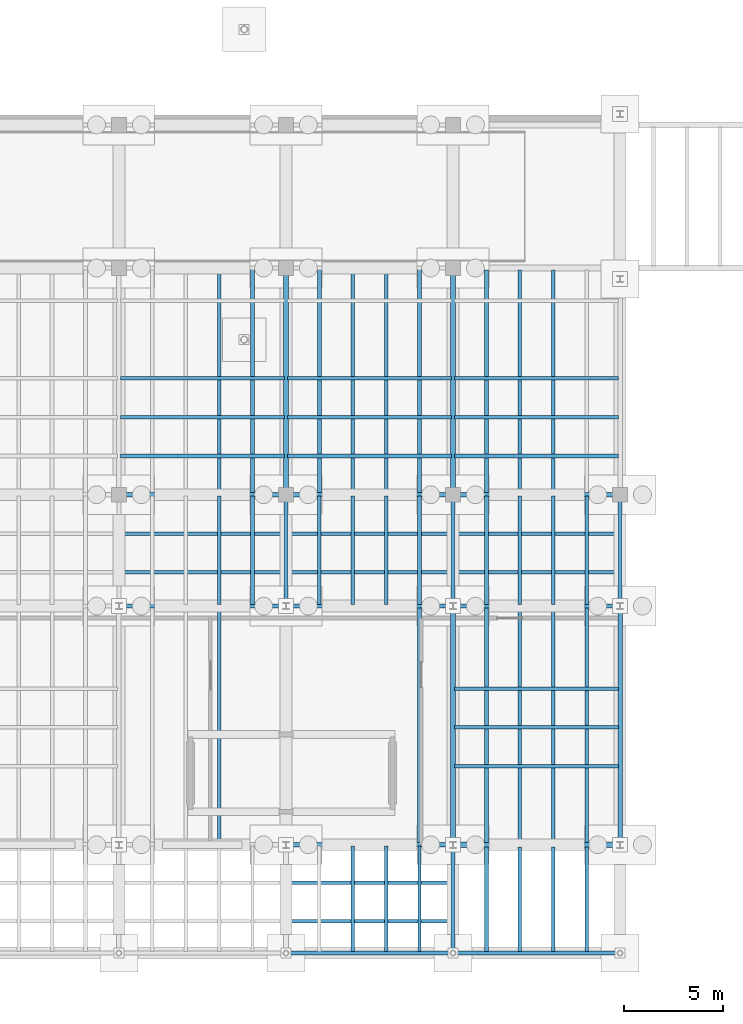
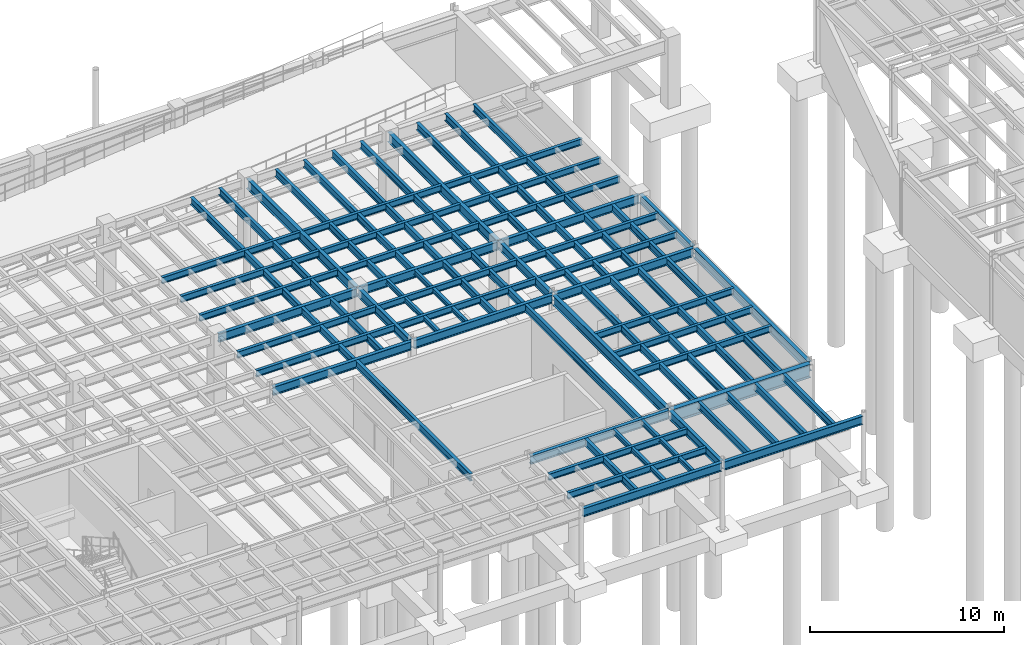
# One storey, part 28 of 41: 70 beams.
"""IFC4 building model written with IfcOpenShell, lengths in metres."""

from ifc_helpers import new_model, si_unit, direction, frame, origin, origin_2d, place, context, subcontext, project, spatial, i_section, extrude, material, material_profile, profile_set, type_object, element, save


model = new_model("IFC4")

# Units and contexts
model_context = context("Model", 3, precision=1e-05, world=origin(), true_north=direction((0.0, 1.0)))
body_context = subcontext(model_context, "Body", "Model", "MODEL_VIEW")
ifc_project = project(units=[si_unit("LENGTHUNIT", "METRE"), si_unit("AREAUNIT", "SQUARE_METRE"), si_unit("VOLUMEUNIT", "CUBIC_METRE"), si_unit("PLANEANGLEUNIT", "RADIAN"), si_unit("MASSUNIT", "GRAM", prefix="KILO")], contexts=[model_context])

# Site, building, storey
site_placement = place(None, origin())
site = spatial("IfcSite", under=ifc_project, at=site_placement, CompositionType="ELEMENT")
building_placement = place(site_placement, origin())
building = spatial("IfcBuilding", under=site, at=building_placement, Name="Selat Folded Stagehouse", CompositionType="ELEMENT")
storey_placement = place(building_placement, frame((0.0, 0.0, -4.5)))
storey = spatial("IfcBuildingStorey", under=building, at=storey_placement, Name="B1", CompositionType="ELEMENT", Elevation=-4.5)

# Beams
ifc_material = material(Name="Steel S355", Category="steel")
ifc_material_profile_1 = material_profile(ifc_material, i_section(OverallWidth=0.210693359375, OverallDepth=0.53955078125, WebThickness=0.01171875, FlangeThickness=0.018798828125, FilletRadius=0.0126953125, at=origin_2d()), Name="UKB 533x210x109")
ifc_profile_set_1 = profile_set([ifc_material_profile_1], Name="Steel S355")
beam_type_1 = type_object("IfcBeamType", Name="BM-GIRD-533x210x109", PredefinedType="BEAM", material=ifc_profile_set_1)
beam_1_placement = place(storey_placement, frame((100.800048828125, 17.8798828125, 3.980224609375), z_axis=(0.0, 1.0, 0.0), x_axis=(-1.0, 0.0, 0.0)))
element("IfcBeam", 1, at=beam_1_placement, inside=storey, type_object=beam_type_1, Name="B1 primary y-girder 0128", PredefinedType="BEAM", context=body_context, shape_type="SweptSolid", body=[
    extrude(i_section(OverallWidth=0.210693359375, OverallDepth=0.53955078125, WebThickness=0.01171875, FlangeThickness=0.018798828125, FilletRadius=0.0126953125, at=origin_2d()), origin(), (0.0, 0.0, 1.0), 5.440185546875),
])
beam_2_placement = place(storey_placement, frame((109.199951171875, 0.418212890625, 3.990234375), z_axis=(0.0, 1.0, 0.0), x_axis=(-1.0, 0.0, 0.0)))
element("IfcBeam", 2, at=beam_2_placement, inside=storey, type_object=beam_type_1, Name="B1 primary y-girder 0130", PredefinedType="BEAM", context=body_context, shape_type="SweptSolid", body=[
    extrude(i_section(OverallWidth=0.210693359375, OverallDepth=0.53955078125, WebThickness=0.01171875, FlangeThickness=0.018798828125, FilletRadius=0.0126953125, at=origin_2d()), origin(), (0.0, 0.0, 1.0), 5.3017578125),
])
for number, where, z_axis, x_axis, name in (
    (3, (109.199951171875, 17.8798828125, 3.980224609375), (0.0, 1.0, 0.0), (-1.0, 0.0, 0.0), "B1 primary y-girder 0132"),
    (4, (117.60009765625, 17.8798828125, 3.980224609375), (0.0, 1.0, 0.0), (-1.0, 0.0, 0.0), "B1 primary y-girder 0135"),
):
    element("IfcBeam", number, at=place(storey_placement, frame(where, z_axis=z_axis, x_axis=x_axis)), inside=storey, type_object=beam_type_1, Name=name, PredefinedType="BEAM", context=body_context, shape_type="SweptSolid", body=[
        extrude(i_section(OverallWidth=0.210693359375, OverallDepth=0.53955078125, WebThickness=0.01171875, FlangeThickness=0.018798828125, FilletRadius=0.0126953125, at=origin_2d()), origin(), (0.0, 0.0, 1.0), 5.440185546875),
    ])
ifc_material_profile_2 = material_profile(ifc_material, i_section(OverallWidth=0.209228515625, OverallDepth=0.533203125, WebThickness=0.010009765625, FlangeThickness=0.015625, FilletRadius=0.0126953125, at=origin_2d()), Name="UKB 533x210x92")
ifc_profile_set_2 = profile_set([ifc_material_profile_2], Name="Steel S355")
beam_type_2 = type_object("IfcBeamType", Name="BM-GIRD-533x210x92", PredefinedType="BEAM", material=ifc_profile_set_2)
beam_3_placement = place(storey_placement, frame((100.868408203125, 0.35009765625, 3.993408203125), z_axis=(1.0, 0.0, 0.0), x_axis=(0.0, 1.0, 0.0)))
element("IfcBeam", 5, at=beam_3_placement, inside=storey, type_object=beam_type_2, Name="B1 primary x-girder 0011", PredefinedType="BEAM", context=body_context, shape_type="SweptSolid", body=[
    extrude(i_section(OverallWidth=0.209228515625, OverallDepth=0.533203125, WebThickness=0.010009765625, FlangeThickness=0.015625, FilletRadius=0.0126953125, at=origin_2d()), origin(), (0.0, 0.0, 1.0), 8.26318359375),
])
beam_4_placement = place(storey_placement, frame((109.268310546875, 0.35009765625, 3.993408203125), z_axis=(1.0, 0.0, 0.0), x_axis=(0.0, 1.0, 0.0)))
element("IfcBeam", 6, at=beam_4_placement, inside=storey, type_object=beam_type_2, Name="B1 primary x-girder 0012", PredefinedType="BEAM", context=body_context, shape_type="SweptSolid", body=[
    extrude(i_section(OverallWidth=0.209228515625, OverallDepth=0.533203125, WebThickness=0.010009765625, FlangeThickness=0.015625, FilletRadius=0.0126953125, at=origin_2d()), origin(), (0.0, 0.0, 1.0), 8.263427734375),
])
beam_5_placement = place(storey_placement, frame((100.8798828125, 5.800048828125, 3.9833984375), z_axis=(1.0, 0.0, 0.0), x_axis=(0.0, 1.0, 0.0)))
element("IfcBeam", 7, at=beam_5_placement, inside=storey, type_object=beam_type_2, Name="B1 primary x-girder 0020", PredefinedType="BEAM", context=body_context, shape_type="SweptSolid", body=[
    extrude(i_section(OverallWidth=0.209228515625, OverallDepth=0.533203125, WebThickness=0.010009765625, FlangeThickness=0.015625, FilletRadius=0.0126953125, at=origin_2d()), origin(), (0.0, 0.0, 1.0), 8.240234375),
])
beam_6_placement = place(storey_placement, frame((92.47998046875, 17.800048828125, 3.9833984375), z_axis=(1.0, 0.0, 0.0), x_axis=(0.0, 1.0, 0.0)))
element("IfcBeam", 8, at=beam_6_placement, inside=storey, type_object=beam_type_2, Name="B1 primary x-girder 0030", PredefinedType="BEAM", context=body_context, shape_type="SweptSolid", body=[
    extrude(i_section(OverallWidth=0.209228515625, OverallDepth=0.533203125, WebThickness=0.010009765625, FlangeThickness=0.015625, FilletRadius=0.0126953125, at=origin_2d()), origin(), (0.0, 0.0, 1.0), 8.239990234375),
])
beam_7_placement = place(storey_placement, frame((100.8798828125, 17.800048828125, 3.9833984375), z_axis=(1.0, 0.0, 0.0), x_axis=(0.0, 1.0, 0.0)))
element("IfcBeam", 9, at=beam_7_placement, inside=storey, type_object=beam_type_2, Name="B1 primary x-girder 0031", PredefinedType="BEAM", context=body_context, shape_type="SweptSolid", body=[
    extrude(i_section(OverallWidth=0.209228515625, OverallDepth=0.533203125, WebThickness=0.010009765625, FlangeThickness=0.015625, FilletRadius=0.0126953125, at=origin_2d()), origin(), (0.0, 0.0, 1.0), 8.240234375),
])
for number, where, z_axis, x_axis, name in (
    (10, (109.280029296875, 17.800048828125, 3.9833984375), (1.0, 0.0, 0.0), (0.0, 1.0, 0.0), "B1 primary x-girder 0032"),
    (11, (92.47998046875, 23.39990234375, 3.93359375), (1.0, 0.0, 0.0), (0.0, 1.0, 0.0), "B1 primary x-girder 0043"),
):
    element("IfcBeam", number, at=place(storey_placement, frame(where, z_axis=z_axis, x_axis=x_axis)), inside=storey, type_object=beam_type_2, Name=name, PredefinedType="BEAM", context=body_context, shape_type="SweptSolid", body=[
        extrude(i_section(OverallWidth=0.209228515625, OverallDepth=0.533203125, WebThickness=0.010009765625, FlangeThickness=0.015625, FilletRadius=0.0126953125, at=origin_2d()), origin(), (0.0, 0.0, 1.0), 8.239990234375),
    ])
beam_8_placement = place(storey_placement, frame((100.8798828125, 23.39990234375, 3.93359375), z_axis=(1.0, 0.0, 0.0), x_axis=(0.0, 1.0, 0.0)))
element("IfcBeam", 12, at=beam_8_placement, inside=storey, type_object=beam_type_2, Name="B1 primary x-girder 0044", PredefinedType="BEAM", context=body_context, shape_type="SweptSolid", body=[
    extrude(i_section(OverallWidth=0.209228515625, OverallDepth=0.533203125, WebThickness=0.010009765625, FlangeThickness=0.015625, FilletRadius=0.0126953125, at=origin_2d()), origin(), (0.0, 0.0, 1.0), 8.240234375),
])
beam_9_placement = place(storey_placement, frame((109.280029296875, 23.39990234375, 3.93359375), z_axis=(1.0, 0.0, 0.0), x_axis=(0.0, 1.0, 0.0)))
element("IfcBeam", 13, at=beam_9_placement, inside=storey, type_object=beam_type_2, Name="B1 primary x-girder 0045", PredefinedType="BEAM", context=body_context, shape_type="SweptSolid", body=[
    extrude(i_section(OverallWidth=0.209228515625, OverallDepth=0.533203125, WebThickness=0.010009765625, FlangeThickness=0.015625, FilletRadius=0.0126953125, at=origin_2d()), origin(), (0.0, 0.0, 1.0), 8.239990234375),
])
ifc_material_profile_3 = material_profile(ifc_material, i_section(OverallWidth=0.230224609375, OverallDepth=0.6171875, WebThickness=0.01318359375, FlangeThickness=0.022216796875, FilletRadius=0.0126953125, at=origin_2d()), Name="UKB 610x229x140")
ifc_profile_set_3 = profile_set([ifc_material_profile_3], Name="Steel S355")
beam_type_3 = type_object("IfcBeamType", Name="BM-GIRD-610x229x140", PredefinedType="BEAM", material=ifc_profile_set_3)
beam_10_placement = place(storey_placement, frame((100.800048828125, 23.47998046875, 3.891357421875), z_axis=(0.0, 1.0, 0.0), x_axis=(-1.0, 0.0, 0.0)))
element("IfcBeam", 14, at=beam_10_placement, inside=storey, type_object=beam_type_3, Name="B1 primary y-girder 0129", PredefinedType="BEAM", context=body_context, shape_type="SweptSolid", body=[
    extrude(i_section(OverallWidth=0.230224609375, OverallDepth=0.6171875, WebThickness=0.01318359375, FlangeThickness=0.022216796875, FilletRadius=0.0126953125, at=origin_2d()), origin(), (0.0, 0.0, 1.0), 11.239990234375),
])
beam_11_placement = place(storey_placement, frame((109.199951171875, 5.8798828125, 3.94140625), z_axis=(0.0, 1.0, 0.0), x_axis=(-1.0, 0.0, 0.0)))
element("IfcBeam", 15, at=beam_11_placement, inside=storey, type_object=beam_type_3, Name="B1 primary y-girder 0131", PredefinedType="BEAM", context=body_context, shape_type="SweptSolid", body=[
    extrude(i_section(OverallWidth=0.230224609375, OverallDepth=0.6171875, WebThickness=0.01318359375, FlangeThickness=0.022216796875, FilletRadius=0.0126953125, at=origin_2d()), origin(), (0.0, 0.0, 1.0), 11.840087890625),
])
beam_12_placement = place(storey_placement, frame((109.199951171875, 23.47998046875, 3.891357421875), z_axis=(0.0, 1.0, 0.0), x_axis=(-1.0, 0.0, 0.0)))
element("IfcBeam", 16, at=beam_12_placement, inside=storey, type_object=beam_type_3, Name="B1 primary y-girder 0133", PredefinedType="BEAM", context=body_context, shape_type="SweptSolid", body=[
    extrude(i_section(OverallWidth=0.230224609375, OverallDepth=0.6171875, WebThickness=0.01318359375, FlangeThickness=0.022216796875, FilletRadius=0.0126953125, at=origin_2d()), origin(), (0.0, 0.0, 1.0), 11.239990234375),
])
beam_13_placement = place(storey_placement, frame((117.60009765625, 5.8798828125, 3.94140625), z_axis=(0.0, 1.0, 0.0), x_axis=(-1.0, 0.0, 0.0)))
element("IfcBeam", 17, at=beam_13_placement, inside=storey, type_object=beam_type_3, Name="B1 primary y-girder 0134", PredefinedType="BEAM", context=body_context, shape_type="SweptSolid", body=[
    extrude(i_section(OverallWidth=0.230224609375, OverallDepth=0.6171875, WebThickness=0.01318359375, FlangeThickness=0.022216796875, FilletRadius=0.0126953125, at=origin_2d()), origin(), (0.0, 0.0, 1.0), 11.840087890625),
])
ifc_material_profile_4 = material_profile(ifc_material, i_section(OverallWidth=0.293701171875, OverallDepth=0.850830078125, WebThickness=0.01611328125, FlangeThickness=0.02685546875, FilletRadius=0.017822265625, at=origin_2d()), Name="UKB 838x292x226")
ifc_profile_set_4 = profile_set([ifc_material_profile_4], Name="Steel S355")
beam_type_4 = type_object("IfcBeamType", Name="BM-LONG-838x292x226", PredefinedType="BEAM", material=ifc_profile_set_4)
beam_14_placement = place(storey_placement, frame((109.280029296875, 5.800048828125, 3.82470703125), z_axis=(1.0, 0.0, 0.0), x_axis=(0.0, 1.0, 0.0)))
element("IfcBeam", 18, at=beam_14_placement, inside=storey, type_object=beam_type_4, Name="B1 primary x-girder 0021", PredefinedType="BEAM", context=body_context, shape_type="SweptSolid", body=[
    extrude(i_section(OverallWidth=0.293701171875, OverallDepth=0.850830078125, WebThickness=0.01611328125, FlangeThickness=0.02685546875, FilletRadius=0.017822265625, at=origin_2d()), origin(), (0.0, 0.0, 1.0), 8.239990234375),
])
ifc_material_profile_5 = material_profile(ifc_material, i_section(OverallWidth=0.1650390625, OverallDepth=0.303466796875, WebThickness=0.006103515625, FlangeThickness=0.01025390625, FilletRadius=0.0087890625, at=origin_2d()), Name="UKB 305x165x40")
ifc_profile_set_5 = profile_set([ifc_material_profile_5], Name="Steel S355")
beam_type_5 = type_object("IfcBeamType", Name="JST-305x165x40", PredefinedType="JOIST", material=ifc_profile_set_5)
for number, where, z_axis, x_axis, name in (
    (19, (102.47998046875, 17.873291015625, 4.04833984375), (0.0, 1.0, 0.0), (-1.0, 0.0, 0.0), "B1 secondary floor joist 0320"),
    (20, (104.159912109375, 17.873291015625, 4.04833984375), (0.0, 1.0, 0.0), (-1.0, 0.0, 0.0), "B1 secondary floor joist 0323"),
):
    element("IfcBeam", number, at=place(storey_placement, frame(where, z_axis=z_axis, x_axis=x_axis)), inside=storey, type_object=beam_type_5, Name=name, PredefinedType="JOIST", context=body_context, shape_type="SweptSolid", body=[
        extrude(i_section(OverallWidth=0.1650390625, OverallDepth=0.303466796875, WebThickness=0.006103515625, FlangeThickness=0.01025390625, FilletRadius=0.0087890625, at=origin_2d()), origin(), (0.0, 0.0, 1.0), 5.453369140625),
    ])
for number, where, z_axis, x_axis, name in (
    (21, (105.840087890625, 0.42333984375, 4.098388671875), (0.0, 1.0, 0.0), (-1.0, 0.0, 0.0), "B1 secondary floor joist 0325"),
    (22, (107.52001953125, 0.42333984375, 4.098388671875), (0.0, 1.0, 0.0), (-1.0, 0.0, 0.0), "B1 secondary floor joist 0328"),
):
    element("IfcBeam", number, at=place(storey_placement, frame(where, z_axis=z_axis, x_axis=x_axis)), inside=storey, type_object=beam_type_5, Name=name, PredefinedType="JOIST", context=body_context, shape_type="SweptSolid", body=[
        extrude(i_section(OverallWidth=0.1650390625, OverallDepth=0.303466796875, WebThickness=0.006103515625, FlangeThickness=0.01025390625, FilletRadius=0.0087890625, at=origin_2d()), origin(), (0.0, 0.0, 1.0), 5.303466796875),
    ])
ifc_material_profile_6 = material_profile(ifc_material, i_section(OverallWidth=0.177978515625, OverallDepth=0.406494140625, WebThickness=0.0078125, FlangeThickness=0.0126953125, FilletRadius=0.01025390625, at=origin_2d()), Name="UKB 406x178x60")
ifc_profile_set_6 = profile_set([ifc_material_profile_6], Name="Steel S355")
beam_type_6 = type_object("IfcBeamType", Name="JST-406x178x60", PredefinedType="JOIST", material=ifc_profile_set_6)
for number, where, z_axis, x_axis, name in (
    (23, (100.880615234375, 1.949951171875, 4.056884765625), (1.0, 0.0, 0.0), (0.0, 1.0, 0.0), "B1 secondary x-joist 0391"),
    (24, (100.880615234375, 3.89990234375, 4.056884765625), (1.0, 0.0, 0.0), (0.0, 1.0, 0.0), "B1 secondary x-joist 0400"),
):
    element("IfcBeam", number, at=place(storey_placement, frame(where, z_axis=z_axis, x_axis=x_axis)), inside=storey, type_object=beam_type_6, Name=name, PredefinedType="JOIST", context=body_context, shape_type="SweptSolid", body=[
        extrude(i_section(OverallWidth=0.177978515625, OverallDepth=0.406494140625, WebThickness=0.0078125, FlangeThickness=0.0126953125, FilletRadius=0.01025390625, at=origin_2d()), origin(), (0.0, 0.0, 1.0), 8.24560546875),
    ])
for number, where, z_axis, x_axis, name in (
    (25, (109.280517578125, 9.75, 4.046875), (1.0, 0.0, 0.0), (0.0, 1.0, 0.0), "B1 secondary x-joist 0408"),
    (26, (109.280517578125, 11.699951171875, 4.046875), (1.0, 0.0, 0.0), (0.0, 1.0, 0.0), "B1 secondary x-joist 0416"),
    (27, (109.280517578125, 13.64990234375, 4.046875), (1.0, 0.0, 0.0), (0.0, 1.0, 0.0), "B1 secondary x-joist 0424"),
):
    element("IfcBeam", number, at=place(storey_placement, frame(where, z_axis=z_axis, x_axis=x_axis)), inside=storey, type_object=beam_type_6, Name=name, PredefinedType="JOIST", context=body_context, shape_type="SweptSolid", body=[
        extrude(i_section(OverallWidth=0.177978515625, OverallDepth=0.406494140625, WebThickness=0.0078125, FlangeThickness=0.0126953125, FilletRadius=0.01025390625, at=origin_2d()), origin(), (0.0, 0.0, 1.0), 8.23876953125),
    ])
for number, where, z_axis, x_axis, name in (
    (28, (92.473876953125, 19.5, 4.046875), (1.0, 0.0, 0.0), (0.0, 1.0, 0.0), "B1 secondary x-joist 0436"),
    (29, (100.873779296875, 19.5, 4.046875), (1.0, 0.0, 0.0), (0.0, 1.0, 0.0), "B1 secondary x-joist 0437"),
    (30, (109.273681640625, 19.5, 4.046875), (1.0, 0.0, 0.0), (0.0, 1.0, 0.0), "B1 secondary x-joist 0438"),
    (31, (92.473876953125, 21.449951171875, 4.046875), (1.0, 0.0, 0.0), (0.0, 1.0, 0.0), "B1 secondary x-joist 0446"),
    (32, (100.873779296875, 21.449951171875, 4.046875), (1.0, 0.0, 0.0), (0.0, 1.0, 0.0), "B1 secondary x-joist 0447"),
    (33, (109.273681640625, 21.449951171875, 4.046875), (1.0, 0.0, 0.0), (0.0, 1.0, 0.0), "B1 secondary x-joist 0448"),
):
    element("IfcBeam", number, at=place(storey_placement, frame(where, z_axis=z_axis, x_axis=x_axis)), inside=storey, type_object=beam_type_6, Name=name, PredefinedType="JOIST", context=body_context, shape_type="SweptSolid", body=[
        extrude(i_section(OverallWidth=0.177978515625, OverallDepth=0.406494140625, WebThickness=0.0078125, FlangeThickness=0.0126953125, FilletRadius=0.01025390625, at=origin_2d()), origin(), (0.0, 0.0, 1.0), 8.25244140625),
    ])
for number, where, z_axis, x_axis, name in (
    (34, (92.480712890625, 25.35009765625, 3.996826171875), (1.0, 0.0, 0.0), (0.0, 1.0, 0.0), "B1 secondary x-joist 0452"),
    (35, (100.880615234375, 25.35009765625, 3.996826171875), (1.0, 0.0, 0.0), (0.0, 1.0, 0.0), "B1 secondary x-joist 0453"),
    (36, (109.280517578125, 25.35009765625, 3.996826171875), (1.0, 0.0, 0.0), (0.0, 1.0, 0.0), "B1 secondary x-joist 0454"),
    (37, (92.480712890625, 27.300048828125, 3.996826171875), (1.0, 0.0, 0.0), (0.0, 1.0, 0.0), "B1 secondary x-joist 0458"),
    (38, (100.880615234375, 27.300048828125, 3.996826171875), (1.0, 0.0, 0.0), (0.0, 1.0, 0.0), "B1 secondary x-joist 0459"),
    (39, (109.280517578125, 27.300048828125, 3.996826171875), (1.0, 0.0, 0.0), (0.0, 1.0, 0.0), "B1 secondary x-joist 0460"),
    (40, (92.480712890625, 29.25, 3.996826171875), (1.0, 0.0, 0.0), (0.0, 1.0, 0.0), "B1 secondary x-joist 0467"),
    (41, (100.880615234375, 29.25, 3.996826171875), (1.0, 0.0, 0.0), (0.0, 1.0, 0.0), "B1 secondary x-joist 0468"),
    (42, (109.280517578125, 29.25, 3.996826171875), (1.0, 0.0, 0.0), (0.0, 1.0, 0.0), "B1 secondary x-joist 0469"),
):
    element("IfcBeam", number, at=place(storey_placement, frame(where, z_axis=z_axis, x_axis=x_axis)), inside=storey, type_object=beam_type_6, Name=name, PredefinedType="JOIST", context=body_context, shape_type="SweptSolid", body=[
        extrude(i_section(OverallWidth=0.177978515625, OverallDepth=0.406494140625, WebThickness=0.0078125, FlangeThickness=0.0126953125, FilletRadius=0.01025390625, at=origin_2d()), origin(), (0.0, 0.0, 1.0), 8.23876953125),
    ])
ifc_material_profile_7 = material_profile(ifc_material, i_section(OverallWidth=0.18994140625, OverallDepth=0.453369140625, WebThickness=0.008544921875, FlangeThickness=0.0126953125, FilletRadius=0.01025390625, at=origin_2d()), Name="UKB 457x191x67")
ifc_profile_set_7 = profile_set([ifc_material_profile_7], Name="Steel S355")
beam_type_7 = type_object("IfcBeamType", Name="JST-457x191x67", PredefinedType="JOIST", material=ifc_profile_set_7)
beam_15_placement = place(storey_placement, frame((97.43994140625, 5.873291015625, 4.023193359375), z_axis=(0.0, 1.0, 0.0), x_axis=(-1.0, 0.0, 0.0)))
element("IfcBeam", 43, at=beam_15_placement, inside=storey, type_object=beam_type_7, Name="B1 secondary floor joist 0313", PredefinedType="JOIST", context=body_context, shape_type="SweptSolid", body=[
    extrude(i_section(OverallWidth=0.18994140625, OverallDepth=0.453369140625, WebThickness=0.008544921875, FlangeThickness=0.0126953125, FilletRadius=0.01025390625, at=origin_2d()), origin(), (0.0, 0.0, 1.0), 11.853515625),
])
beam_16_placement = place(storey_placement, frame((97.43994140625, 17.873291015625, 3.973388671875), z_axis=(0.0, 1.0, 0.0), x_axis=(-1.0, 0.0, 0.0)))
element("IfcBeam", 44, at=beam_16_placement, inside=storey, type_object=beam_type_7, Name="B1 secondary floor joist 0314", PredefinedType="JOIST", context=body_context, shape_type="SweptSolid", body=[
    extrude(i_section(OverallWidth=0.18994140625, OverallDepth=0.453369140625, WebThickness=0.008544921875, FlangeThickness=0.0126953125, FilletRadius=0.01025390625, at=origin_2d()), origin(), (0.0, 0.0, 1.0), 5.453369140625),
])
beam_17_placement = place(storey_placement, frame((97.43994140625, 23.473388671875, 3.973388671875), z_axis=(0.0, 1.0, 0.0), x_axis=(-1.0, 0.0, 0.0)))
element("IfcBeam", 45, at=beam_17_placement, inside=storey, type_object=beam_type_7, Name="B1 secondary floor joist 0315", PredefinedType="JOIST", context=body_context, shape_type="SweptSolid", body=[
    extrude(i_section(OverallWidth=0.18994140625, OverallDepth=0.453369140625, WebThickness=0.008544921875, FlangeThickness=0.0126953125, FilletRadius=0.01025390625, at=origin_2d()), origin(), (0.0, 0.0, 1.0), 11.25341796875),
])
beam_18_placement = place(storey_placement, frame((99.1201171875, 17.873291015625, 3.973388671875), z_axis=(0.0, 1.0, 0.0), x_axis=(-1.0, 0.0, 0.0)))
element("IfcBeam", 46, at=beam_18_placement, inside=storey, type_object=beam_type_7, Name="B1 secondary floor joist 0317", PredefinedType="JOIST", context=body_context, shape_type="SweptSolid", body=[
    extrude(i_section(OverallWidth=0.18994140625, OverallDepth=0.453369140625, WebThickness=0.008544921875, FlangeThickness=0.0126953125, FilletRadius=0.01025390625, at=origin_2d()), origin(), (0.0, 0.0, 1.0), 5.453369140625),
])
for number, where, z_axis, x_axis, name in (
    (47, (99.1201171875, 23.473388671875, 3.973388671875), (0.0, 1.0, 0.0), (-1.0, 0.0, 0.0), "B1 secondary floor joist 0318"),
    (48, (102.47998046875, 23.473388671875, 3.973388671875), (0.0, 1.0, 0.0), (-1.0, 0.0, 0.0), "B1 secondary floor joist 0321"),
):
    element("IfcBeam", number, at=place(storey_placement, frame(where, z_axis=z_axis, x_axis=x_axis)), inside=storey, type_object=beam_type_7, Name=name, PredefinedType="JOIST", context=body_context, shape_type="SweptSolid", body=[
        extrude(i_section(OverallWidth=0.18994140625, OverallDepth=0.453369140625, WebThickness=0.008544921875, FlangeThickness=0.0126953125, FilletRadius=0.01025390625, at=origin_2d()), origin(), (0.0, 0.0, 1.0), 11.25341796875),
    ])
beam_19_placement = place(storey_placement, frame((104.159912109375, 0.42333984375, 4.023193359375), z_axis=(0.0, 1.0, 0.0), x_axis=(-1.0, 0.0, 0.0)))
element("IfcBeam", 49, at=beam_19_placement, inside=storey, type_object=beam_type_7, Name="B1 secondary floor joist 0322", PredefinedType="JOIST", context=body_context, shape_type="SweptSolid", body=[
    extrude(i_section(OverallWidth=0.18994140625, OverallDepth=0.453369140625, WebThickness=0.008544921875, FlangeThickness=0.0126953125, FilletRadius=0.01025390625, at=origin_2d()), origin(), (0.0, 0.0, 1.0), 5.303466796875),
])
beam_20_placement = place(storey_placement, frame((104.159912109375, 23.473388671875, 3.973388671875), z_axis=(0.0, 1.0, 0.0), x_axis=(-1.0, 0.0, 0.0)))
element("IfcBeam", 50, at=beam_20_placement, inside=storey, type_object=beam_type_7, Name="B1 secondary floor joist 0324", PredefinedType="JOIST", context=body_context, shape_type="SweptSolid", body=[
    extrude(i_section(OverallWidth=0.18994140625, OverallDepth=0.453369140625, WebThickness=0.008544921875, FlangeThickness=0.0126953125, FilletRadius=0.01025390625, at=origin_2d()), origin(), (0.0, 0.0, 1.0), 11.25341796875),
])
beam_21_placement = place(storey_placement, frame((105.840087890625, 17.873291015625, 3.973388671875), z_axis=(0.0, 1.0, 0.0), x_axis=(-1.0, 0.0, 0.0)))
element("IfcBeam", 51, at=beam_21_placement, inside=storey, type_object=beam_type_7, Name="B1 secondary floor joist 0326", PredefinedType="JOIST", context=body_context, shape_type="SweptSolid", body=[
    extrude(i_section(OverallWidth=0.18994140625, OverallDepth=0.453369140625, WebThickness=0.008544921875, FlangeThickness=0.0126953125, FilletRadius=0.01025390625, at=origin_2d()), origin(), (0.0, 0.0, 1.0), 5.453369140625),
])
beam_22_placement = place(storey_placement, frame((105.840087890625, 23.473388671875, 3.973388671875), z_axis=(0.0, 1.0, 0.0), x_axis=(-1.0, 0.0, 0.0)))
element("IfcBeam", 52, at=beam_22_placement, inside=storey, type_object=beam_type_7, Name="B1 secondary floor joist 0327", PredefinedType="JOIST", context=body_context, shape_type="SweptSolid", body=[
    extrude(i_section(OverallWidth=0.18994140625, OverallDepth=0.453369140625, WebThickness=0.008544921875, FlangeThickness=0.0126953125, FilletRadius=0.01025390625, at=origin_2d()), origin(), (0.0, 0.0, 1.0), 11.25341796875),
])
beam_23_placement = place(storey_placement, frame((107.52001953125, 5.873291015625, 4.023193359375), z_axis=(0.0, 1.0, 0.0), x_axis=(-1.0, 0.0, 0.0)))
element("IfcBeam", 53, at=beam_23_placement, inside=storey, type_object=beam_type_7, Name="B1 secondary floor joist 0329", PredefinedType="JOIST", context=body_context, shape_type="SweptSolid", body=[
    extrude(i_section(OverallWidth=0.18994140625, OverallDepth=0.453369140625, WebThickness=0.008544921875, FlangeThickness=0.0126953125, FilletRadius=0.01025390625, at=origin_2d()), origin(), (0.0, 0.0, 1.0), 11.853515625),
])
beam_24_placement = place(storey_placement, frame((107.52001953125, 17.873291015625, 3.973388671875), z_axis=(0.0, 1.0, 0.0), x_axis=(-1.0, 0.0, 0.0)))
element("IfcBeam", 54, at=beam_24_placement, inside=storey, type_object=beam_type_7, Name="B1 secondary floor joist 0330", PredefinedType="JOIST", context=body_context, shape_type="SweptSolid", body=[
    extrude(i_section(OverallWidth=0.18994140625, OverallDepth=0.453369140625, WebThickness=0.008544921875, FlangeThickness=0.0126953125, FilletRadius=0.01025390625, at=origin_2d()), origin(), (0.0, 0.0, 1.0), 5.453369140625),
])
beam_25_placement = place(storey_placement, frame((107.52001953125, 23.473388671875, 3.973388671875), z_axis=(0.0, 1.0, 0.0), x_axis=(-1.0, 0.0, 0.0)))
element("IfcBeam", 55, at=beam_25_placement, inside=storey, type_object=beam_type_7, Name="B1 secondary floor joist 0331", PredefinedType="JOIST", context=body_context, shape_type="SweptSolid", body=[
    extrude(i_section(OverallWidth=0.18994140625, OverallDepth=0.453369140625, WebThickness=0.008544921875, FlangeThickness=0.0126953125, FilletRadius=0.01025390625, at=origin_2d()), origin(), (0.0, 0.0, 1.0), 11.25341796875),
])
beam_26_placement = place(storey_placement, frame((110.8798828125, 0.42333984375, 4.023193359375), z_axis=(0.0, 1.0, 0.0), x_axis=(-1.0, 0.0, 0.0)))
element("IfcBeam", 56, at=beam_26_placement, inside=storey, type_object=beam_type_7, Name="B1 secondary floor joist 0332", PredefinedType="JOIST", context=body_context, shape_type="SweptSolid", body=[
    extrude(i_section(OverallWidth=0.18994140625, OverallDepth=0.453369140625, WebThickness=0.008544921875, FlangeThickness=0.0126953125, FilletRadius=0.01025390625, at=origin_2d()), origin(), (0.0, 0.0, 1.0), 5.27392578125),
])
beam_27_placement = place(storey_placement, frame((110.8798828125, 5.90283203125, 4.023193359375), z_axis=(0.0, 1.0, 0.0), x_axis=(-1.0, 0.0, 0.0)))
element("IfcBeam", 57, at=beam_27_placement, inside=storey, type_object=beam_type_7, Name="B1 secondary floor joist 0333", PredefinedType="JOIST", context=body_context, shape_type="SweptSolid", body=[
    extrude(i_section(OverallWidth=0.18994140625, OverallDepth=0.453369140625, WebThickness=0.008544921875, FlangeThickness=0.0126953125, FilletRadius=0.01025390625, at=origin_2d()), origin(), (0.0, 0.0, 1.0), 11.823974609375),
])
beam_28_placement = place(storey_placement, frame((110.8798828125, 17.873291015625, 3.973388671875), z_axis=(0.0, 1.0, 0.0), x_axis=(-1.0, 0.0, 0.0)))
element("IfcBeam", 58, at=beam_28_placement, inside=storey, type_object=beam_type_7, Name="B1 secondary floor joist 0334", PredefinedType="JOIST", context=body_context, shape_type="SweptSolid", body=[
    extrude(i_section(OverallWidth=0.18994140625, OverallDepth=0.453369140625, WebThickness=0.008544921875, FlangeThickness=0.0126953125, FilletRadius=0.01025390625, at=origin_2d()), origin(), (0.0, 0.0, 1.0), 5.453369140625),
])
beam_29_placement = place(storey_placement, frame((110.8798828125, 23.473388671875, 3.973388671875), z_axis=(0.0, 1.0, 0.0), x_axis=(-1.0, 0.0, 0.0)))
element("IfcBeam", 59, at=beam_29_placement, inside=storey, type_object=beam_type_7, Name="B1 secondary floor joist 0335", PredefinedType="JOIST", context=body_context, shape_type="SweptSolid", body=[
    extrude(i_section(OverallWidth=0.18994140625, OverallDepth=0.453369140625, WebThickness=0.008544921875, FlangeThickness=0.0126953125, FilletRadius=0.01025390625, at=origin_2d()), origin(), (0.0, 0.0, 1.0), 11.223876953125),
])
beam_30_placement = place(storey_placement, frame((112.56005859375, 0.42333984375, 4.023193359375), z_axis=(0.0, 1.0, 0.0), x_axis=(-1.0, 0.0, 0.0)))
element("IfcBeam", 60, at=beam_30_placement, inside=storey, type_object=beam_type_7, Name="B1 secondary floor joist 0336", PredefinedType="JOIST", context=body_context, shape_type="SweptSolid", body=[
    extrude(i_section(OverallWidth=0.18994140625, OverallDepth=0.453369140625, WebThickness=0.008544921875, FlangeThickness=0.0126953125, FilletRadius=0.01025390625, at=origin_2d()), origin(), (0.0, 0.0, 1.0), 5.27392578125),
])
beam_31_placement = place(storey_placement, frame((112.56005859375, 5.90283203125, 4.023193359375), z_axis=(0.0, 1.0, 0.0), x_axis=(-1.0, 0.0, 0.0)))
element("IfcBeam", 61, at=beam_31_placement, inside=storey, type_object=beam_type_7, Name="B1 secondary floor joist 0337", PredefinedType="JOIST", context=body_context, shape_type="SweptSolid", body=[
    extrude(i_section(OverallWidth=0.18994140625, OverallDepth=0.453369140625, WebThickness=0.008544921875, FlangeThickness=0.0126953125, FilletRadius=0.01025390625, at=origin_2d()), origin(), (0.0, 0.0, 1.0), 11.823974609375),
])
beam_32_placement = place(storey_placement, frame((112.56005859375, 17.873291015625, 3.973388671875), z_axis=(0.0, 1.0, 0.0), x_axis=(-1.0, 0.0, 0.0)))
element("IfcBeam", 62, at=beam_32_placement, inside=storey, type_object=beam_type_7, Name="B1 secondary floor joist 0338", PredefinedType="JOIST", context=body_context, shape_type="SweptSolid", body=[
    extrude(i_section(OverallWidth=0.18994140625, OverallDepth=0.453369140625, WebThickness=0.008544921875, FlangeThickness=0.0126953125, FilletRadius=0.01025390625, at=origin_2d()), origin(), (0.0, 0.0, 1.0), 5.453369140625),
])
beam_33_placement = place(storey_placement, frame((112.56005859375, 23.473388671875, 3.973388671875), z_axis=(0.0, 1.0, 0.0), x_axis=(-1.0, 0.0, 0.0)))
element("IfcBeam", 63, at=beam_33_placement, inside=storey, type_object=beam_type_7, Name="B1 secondary floor joist 0339", PredefinedType="JOIST", context=body_context, shape_type="SweptSolid", body=[
    extrude(i_section(OverallWidth=0.18994140625, OverallDepth=0.453369140625, WebThickness=0.008544921875, FlangeThickness=0.0126953125, FilletRadius=0.01025390625, at=origin_2d()), origin(), (0.0, 0.0, 1.0), 11.223876953125),
])
beam_34_placement = place(storey_placement, frame((114.239990234375, 0.42333984375, 4.023193359375), z_axis=(0.0, 1.0, 0.0), x_axis=(-1.0, 0.0, 0.0)))
element("IfcBeam", 64, at=beam_34_placement, inside=storey, type_object=beam_type_7, Name="B1 secondary floor joist 0340", PredefinedType="JOIST", context=body_context, shape_type="SweptSolid", body=[
    extrude(i_section(OverallWidth=0.18994140625, OverallDepth=0.453369140625, WebThickness=0.008544921875, FlangeThickness=0.0126953125, FilletRadius=0.01025390625, at=origin_2d()), origin(), (0.0, 0.0, 1.0), 5.27392578125),
])
beam_35_placement = place(storey_placement, frame((114.239990234375, 5.90283203125, 4.023193359375), z_axis=(0.0, 1.0, 0.0), x_axis=(-1.0, 0.0, 0.0)))
element("IfcBeam", 65, at=beam_35_placement, inside=storey, type_object=beam_type_7, Name="B1 secondary floor joist 0341", PredefinedType="JOIST", context=body_context, shape_type="SweptSolid", body=[
    extrude(i_section(OverallWidth=0.18994140625, OverallDepth=0.453369140625, WebThickness=0.008544921875, FlangeThickness=0.0126953125, FilletRadius=0.01025390625, at=origin_2d()), origin(), (0.0, 0.0, 1.0), 11.823974609375),
])
beam_36_placement = place(storey_placement, frame((114.239990234375, 17.873291015625, 3.973388671875), z_axis=(0.0, 1.0, 0.0), x_axis=(-1.0, 0.0, 0.0)))
element("IfcBeam", 66, at=beam_36_placement, inside=storey, type_object=beam_type_7, Name="B1 secondary floor joist 0342", PredefinedType="JOIST", context=body_context, shape_type="SweptSolid", body=[
    extrude(i_section(OverallWidth=0.18994140625, OverallDepth=0.453369140625, WebThickness=0.008544921875, FlangeThickness=0.0126953125, FilletRadius=0.01025390625, at=origin_2d()), origin(), (0.0, 0.0, 1.0), 5.453369140625),
])
beam_37_placement = place(storey_placement, frame((114.239990234375, 23.473388671875, 3.973388671875), z_axis=(0.0, 1.0, 0.0), x_axis=(-1.0, 0.0, 0.0)))
element("IfcBeam", 67, at=beam_37_placement, inside=storey, type_object=beam_type_7, Name="B1 secondary floor joist 0343", PredefinedType="JOIST", context=body_context, shape_type="SweptSolid", body=[
    extrude(i_section(OverallWidth=0.18994140625, OverallDepth=0.453369140625, WebThickness=0.008544921875, FlangeThickness=0.0126953125, FilletRadius=0.01025390625, at=origin_2d()), origin(), (0.0, 0.0, 1.0), 11.223876953125),
])
beam_38_placement = place(storey_placement, frame((115.919921875, 0.42333984375, 4.023193359375), z_axis=(0.0, 1.0, 0.0), x_axis=(-1.0, 0.0, 0.0)))
element("IfcBeam", 68, at=beam_38_placement, inside=storey, type_object=beam_type_7, Name="B1 secondary floor joist 0344", PredefinedType="JOIST", context=body_context, shape_type="SweptSolid", body=[
    extrude(i_section(OverallWidth=0.18994140625, OverallDepth=0.453369140625, WebThickness=0.008544921875, FlangeThickness=0.0126953125, FilletRadius=0.01025390625, at=origin_2d()), origin(), (0.0, 0.0, 1.0), 5.27392578125),
])
beam_39_placement = place(storey_placement, frame((115.919921875, 5.90283203125, 4.023193359375), z_axis=(0.0, 1.0, 0.0), x_axis=(-1.0, 0.0, 0.0)))
element("IfcBeam", 69, at=beam_39_placement, inside=storey, type_object=beam_type_7, Name="B1 secondary floor joist 0345", PredefinedType="JOIST", context=body_context, shape_type="SweptSolid", body=[
    extrude(i_section(OverallWidth=0.18994140625, OverallDepth=0.453369140625, WebThickness=0.008544921875, FlangeThickness=0.0126953125, FilletRadius=0.01025390625, at=origin_2d()), origin(), (0.0, 0.0, 1.0), 11.823974609375),
])
beam_40_placement = place(storey_placement, frame((115.919921875, 17.873291015625, 3.973388671875), z_axis=(0.0, 1.0, 0.0), x_axis=(-1.0, 0.0, 0.0)))
element("IfcBeam", 70, at=beam_40_placement, inside=storey, type_object=beam_type_7, Name="B1 secondary floor joist 0346", PredefinedType="JOIST", context=body_context, shape_type="SweptSolid", body=[
    extrude(i_section(OverallWidth=0.18994140625, OverallDepth=0.453369140625, WebThickness=0.008544921875, FlangeThickness=0.0126953125, FilletRadius=0.01025390625, at=origin_2d()), origin(), (0.0, 0.0, 1.0), 5.453369140625),
])

save(model, "model.ifc")
